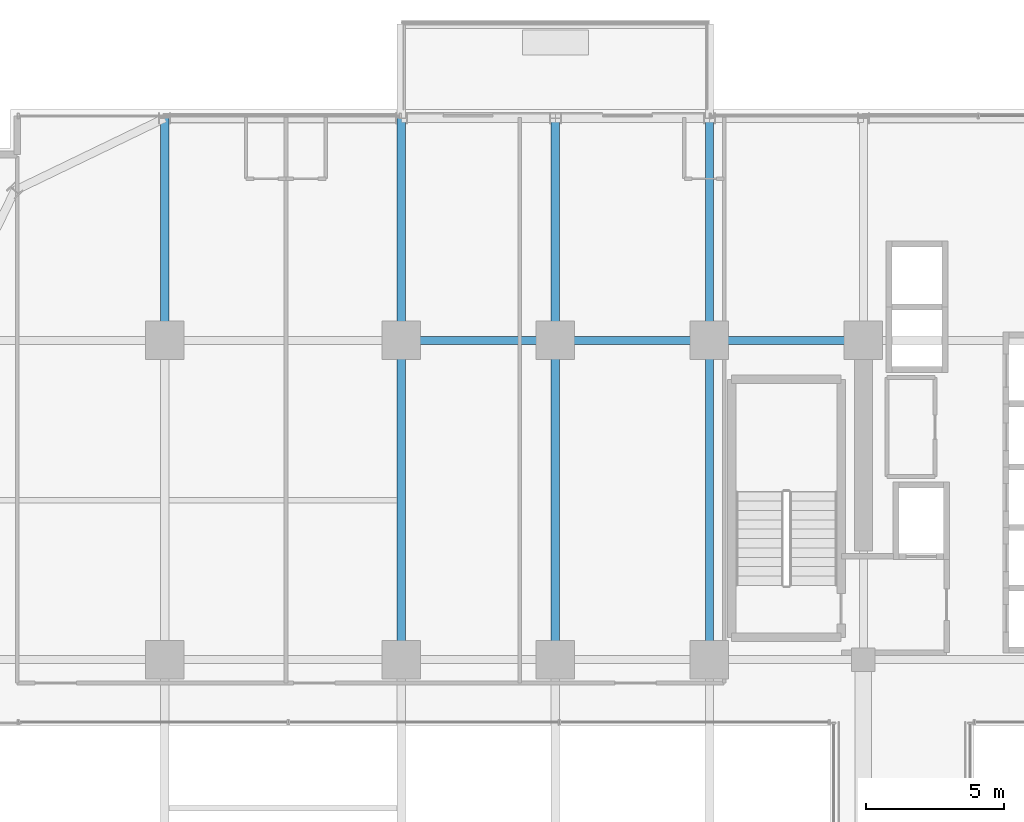
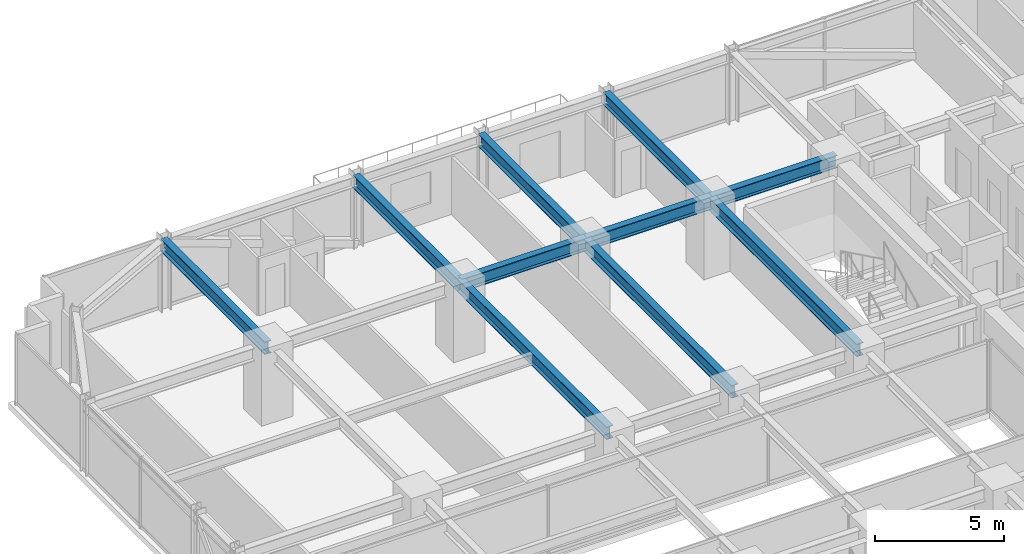
# One storey, part 27 of 47: 10 beams.
"""IFC4 building model written with IfcOpenShell, lengths in metres."""

from ifc_helpers import new_model, si_unit, direction, frame, origin, origin_2d, place, context, subcontext, project, spatial, i_section, extrude, source, transform, mapped, material, material_profile, profile_set, type_object, element, save


model = new_model("IFC4")

# Units and contexts
model_context = context("Model", 3, precision=1e-05, world=origin(), true_north=direction((0.0, 1.0)))
body_context = subcontext(model_context, "Body", "Model", "MODEL_VIEW")
ifc_project = project(units=[si_unit("LENGTHUNIT", "METRE"), si_unit("AREAUNIT", "SQUARE_METRE"), si_unit("VOLUMEUNIT", "CUBIC_METRE"), si_unit("PLANEANGLEUNIT", "RADIAN"), si_unit("MASSUNIT", "GRAM", prefix="KILO")], contexts=[model_context])

# Site, building, storey
site_placement = place(None, origin())
site = spatial("IfcSite", under=ifc_project, at=site_placement, CompositionType="ELEMENT")
building_placement = place(site_placement, origin())
building = spatial("IfcBuilding", under=site, at=building_placement, Name="Nahalor Promenade Grand Hotel", CompositionType="ELEMENT")
storey_placement = place(building_placement, frame((0.0, 0.0, 68.89990234375)))
storey = spatial("IfcBuildingStorey", under=building, at=storey_placement, Name="L16", CompositionType="ELEMENT", Elevation=68.89990234375)

# Beams
ifc_material = material(Name="Steel S355JR", Category="steel")
ifc_material_profile = material_profile(ifc_material, i_section(OverallWidth=0.3, OverallDepth=0.6, WebThickness=0.0155, FlangeThickness=0.03, at=origin_2d()), Name="HEB 600")
ifc_profile_set = profile_set([ifc_material_profile], Name="Steel S355JR")
beam_type = type_object("IfcBeamType", Name="Beam-Girder-HEB600", PredefinedType="BEAM", material=ifc_profile_set)
shared_shape_1 = source(origin(), body_context, "Body", "SweptSolid", [
    extrude(i_section(OverallWidth=0.3, OverallDepth=0.6, WebThickness=0.0155, FlangeThickness=0.03, at=origin_2d()), origin(), (0.0, 0.0, 1.0), 5.599853515625),
])
for number, where, z_axis, x_axis, name in (
    (1, (-8.39990234375, 17.0, 3.070068359375), (1.0, 0.0, 0.0), (0.0, 1.0, 0.0), "BM-L16-GX-3-2"),
    (2, (2.800048828125, 17.0, 3.070068359375), (1.0, 0.0, 0.0), (0.0, 1.0, 0.0), "BM-L16-GX-3-4"),
):
    element("IfcBeam", number, at=place(storey_placement, frame(where, z_axis=z_axis, x_axis=x_axis)), inside=storey, type_object=beam_type, Name=name, PredefinedType="BEAM", context=body_context, shape_type="MappedRepresentation", body=[
        mapped(shared_shape_1, transform((0.0, 0.0, 0.0), scale=1.0)),
    ])
shared_shape_2 = source(origin(), body_context, "Body", "SweptSolid", [
    extrude(i_section(OverallWidth=0.3, OverallDepth=0.6, WebThickness=0.0155, FlangeThickness=0.03, at=origin_2d()), origin(), (0.0, 0.0, 1.0), 5.60009765625),
])
beam_placement = place(storey_placement, frame((-2.800048828125, 17.0, 3.070068359375), z_axis=(1.0, 0.0, 0.0), x_axis=(0.0, 1.0, 0.0)))
element("IfcBeam", 3, at=beam_placement, inside=storey, type_object=beam_type, Name="BM-L16-GX-3-3", PredefinedType="BEAM", context=body_context, shape_type="MappedRepresentation", body=[
    mapped(shared_shape_2, transform((0.0, 0.0, 0.0), scale=1.0)),
])
shared_shape_3 = source(origin(), body_context, "Body", "SweptSolid", [
    extrude(i_section(OverallWidth=0.3, OverallDepth=0.6, WebThickness=0.0155, FlangeThickness=0.03, at=origin_2d()), origin(), (0.0, 0.0, 1.0), 11.60009765625),
])
for number, where, z_axis, x_axis, name in (
    (4, (-8.39990234375, 5.39990234375, 3.070068359375), (0.0, 1.0, 0.0), (-1.0, 0.0, 0.0), "BM-L16-GY-1-3"),
    (5, (-2.800048828125, 5.39990234375, 3.070068359375), (0.0, 1.0, 0.0), (-1.0, 0.0, 0.0), "BM-L16-GY-2-3"),
    (6, (2.800048828125, 5.39990234375, 3.070068359375), (0.0, 1.0, 0.0), (-1.0, 0.0, 0.0), "BM-L16-GY-3-3"),
):
    element("IfcBeam", number, at=place(storey_placement, frame(where, z_axis=z_axis, x_axis=x_axis)), inside=storey, type_object=beam_type, Name=name, PredefinedType="BEAM", context=body_context, shape_type="MappedRepresentation", body=[
        mapped(shared_shape_3, transform((0.0, 0.0, 0.0), scale=1.0)),
    ])
shared_shape_4 = source(origin(), body_context, "Body", "SweptSolid", [
    extrude(i_section(OverallWidth=0.3, OverallDepth=0.6, WebThickness=0.0155, FlangeThickness=0.03, at=origin_2d()), origin(), (0.0, 0.0, 1.0), 8.080078125),
])
for number, where, z_axis, x_axis, name in (
    (7, (-17.0, 17.0, 3.070068359375), (0.0, 1.0, 0.0), (-1.0, 0.0, 0.0), "BM-L16-GY-0-4"),
    (8, (-8.39990234375, 17.0, 3.070068359375), (0.0, 1.0, 0.0), (-1.0, 0.0, 0.0), "BM-L16-GY-1-4"),
    (9, (-2.800048828125, 17.0, 3.070068359375), (0.0, 1.0, 0.0), (-1.0, 0.0, 0.0), "BM-L16-GY-2-4"),
    (10, (2.800048828125, 17.0, 3.070068359375), (0.0, 1.0, 0.0), (-1.0, 0.0, 0.0), "BM-L16-GY-3-4"),
):
    element("IfcBeam", number, at=place(storey_placement, frame(where, z_axis=z_axis, x_axis=x_axis)), inside=storey, type_object=beam_type, Name=name, PredefinedType="BEAM", context=body_context, shape_type="MappedRepresentation", body=[
        mapped(shared_shape_4, transform((0.0, 0.0, 0.0), scale=1.0)),
    ])

save(model, "model.ifc")
